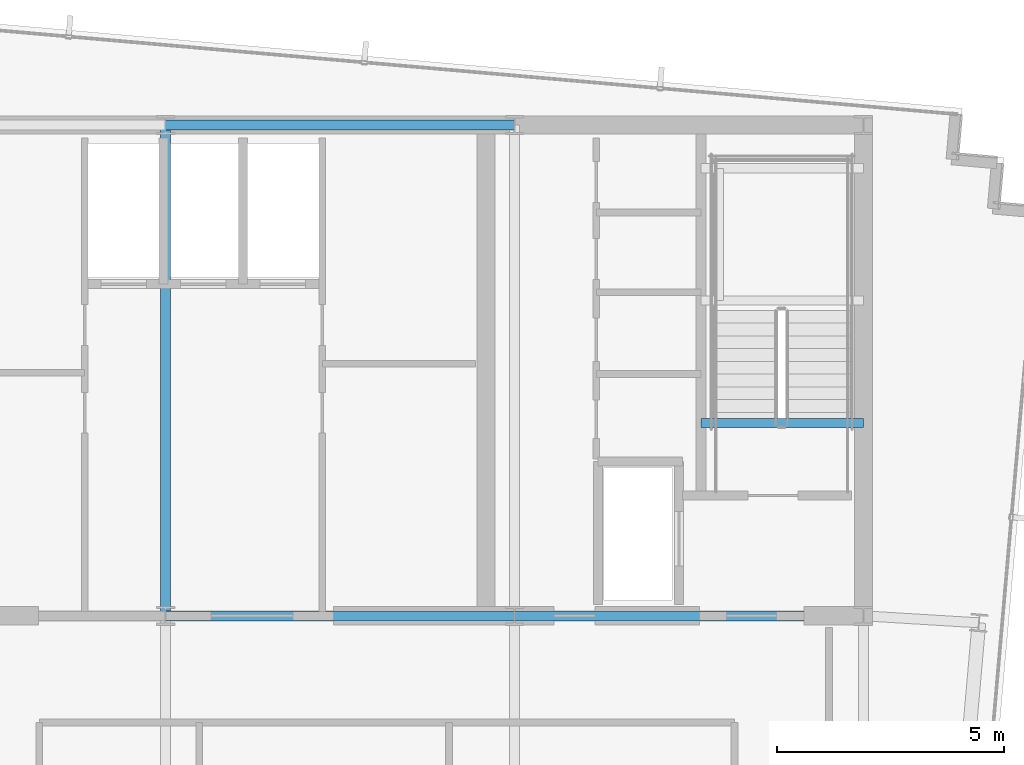
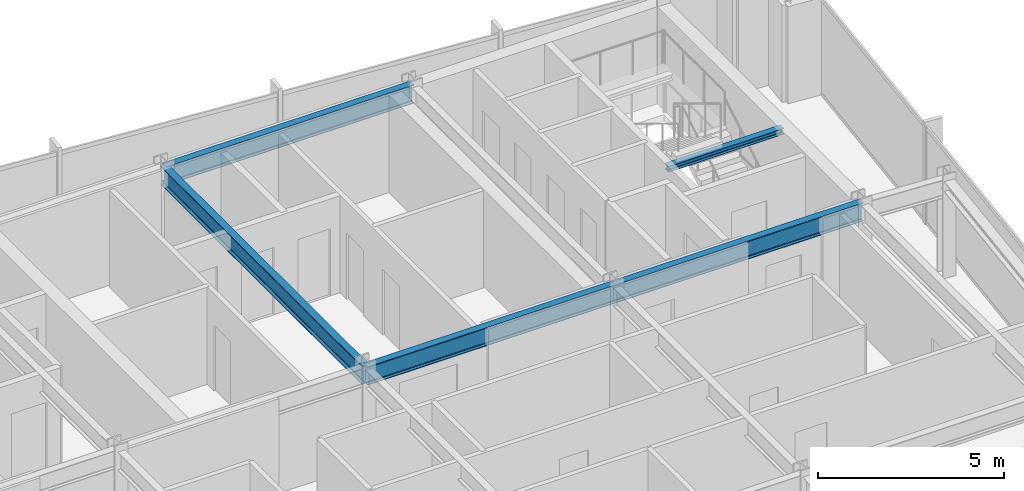
# One storey, part 18 of 32: 5 beams.
"""IFC4 building model written with IfcOpenShell, lengths in metres."""

from ifc_helpers import new_model, si_unit, direction, frame, origin, origin_2d, place, context, subcontext, project, spatial, i_section, extrude, material, material_profile, profile_set, type_object, element, save


model = new_model("IFC4")

# Units and contexts
model_context = context("Model", 3, precision=1e-05, world=origin(), true_north=direction((0.0, 1.0)))
body_context = subcontext(model_context, "Body", "Model", "MODEL_VIEW")
ifc_project = project(units=[si_unit("LENGTHUNIT", "METRE"), si_unit("AREAUNIT", "SQUARE_METRE"), si_unit("VOLUMEUNIT", "CUBIC_METRE"), si_unit("PLANEANGLEUNIT", "RADIAN"), si_unit("MASSUNIT", "GRAM", prefix="KILO")], contexts=[model_context])

# Site, building, storey
site_placement = place(None, origin())
site = spatial("IfcSite", under=ifc_project, at=site_placement, CompositionType="ELEMENT")
building_placement = place(site_placement, origin())
building = spatial("IfcBuilding", under=site, at=building_placement, Name="Yelkora Congress Tower", CompositionType="ELEMENT")
storey_placement = place(building_placement, frame((0.0, 0.0, 272.699951171875)))
storey = spatial("IfcBuildingStorey", under=building, at=storey_placement, Name="L76", CompositionType="ELEMENT", Elevation=272.699951171875)

# Beams
ifc_material = material(Name="Steel S355J2", Category="steel")
ifc_material_profile_1 = material_profile(ifc_material, i_section(OverallWidth=0.219970703125, OverallDepth=0.60009765625, WebThickness=0.011962890625, FlangeThickness=0.01904296875, FilletRadius=0.02392578125, at=origin_2d()), Name="IPE 600")
ifc_profile_set_1 = profile_set([ifc_material_profile_1], Name="Steel S355J2")
beam_type_1 = type_object("IfcBeamType", Name="BM-GIRD-IPE600", PredefinedType="BEAM", material=ifc_profile_set_1)
for number, where, z_axis, x_axis, name in (
    (1, (38.39990234375, 46.199951171875, 2.880126953125), (1.0, 0.0, 0.0), (0.0, 1.0, 0.0), "L76 Core North Girder 3"),
    (2, (38.39990234375, 35.39990234375, 2.880126953125), (1.0, 0.0, 0.0), (0.0, 1.0, 0.0), "L76 Core South Girder 3"),
):
    element("IfcBeam", number, at=place(storey_placement, frame(where, z_axis=z_axis, x_axis=x_axis)), inside=storey, type_object=beam_type_1, Name=name, PredefinedType="BEAM", context=body_context, shape_type="SweptSolid", body=[
        extrude(i_section(OverallWidth=0.219970703125, OverallDepth=0.60009765625, WebThickness=0.011962890625, FlangeThickness=0.01904296875, FilletRadius=0.02392578125, at=origin_2d()), origin(), (0.0, 0.0, 1.0), 7.68017578125),
    ])
beam_1_placement = place(storey_placement, frame((46.080078125, 35.39990234375, 2.880126953125), z_axis=(1.0, 0.0, 0.0), x_axis=(0.0, 1.0, 0.0)))
element("IfcBeam", 3, at=beam_1_placement, inside=storey, type_object=beam_type_1, Name="L76 Core South Girder 4", PredefinedType="BEAM", context=body_context, shape_type="SweptSolid", body=[
    extrude(i_section(OverallWidth=0.219970703125, OverallDepth=0.60009765625, WebThickness=0.011962890625, FlangeThickness=0.01904296875, FilletRadius=0.02392578125, at=origin_2d()), origin(), (0.0, 0.0, 1.0), 7.679931640625),
])
beam_2_placement = place(storey_placement, frame((38.39990234375, 35.39990234375, 2.880126953125), z_axis=(0.0, 1.0, 0.0), x_axis=(-1.0, 0.0, 0.0)))
element("IfcBeam", 4, at=beam_2_placement, inside=storey, type_object=beam_type_1, Name="L76 Core Tie Girder MC-S3", PredefinedType="BEAM", context=body_context, shape_type="SweptSolid", body=[
    extrude(i_section(OverallWidth=0.219970703125, OverallDepth=0.60009765625, WebThickness=0.011962890625, FlangeThickness=0.01904296875, FilletRadius=0.02392578125, at=origin_2d()), origin(), (0.0, 0.0, 1.0), 10.800048828125),
])
ifc_material_profile_2 = material_profile(ifc_material, i_section(OverallWidth=0.199951171875, OverallDepth=0.18994140625, WebThickness=0.006591796875, FlangeThickness=0.010009765625, FilletRadius=0.01806640625, at=origin_2d()), Name="HEA 200")
ifc_profile_set_2 = profile_set([ifc_material_profile_2], Name="Steel S355J2")
beam_type_2 = type_object("IfcBeamType", Name="BM-LAND-HEA200", PredefinedType="BEAM", material=ifc_profile_set_2)
beam_3_placement = place(storey_placement, frame((50.179931640625, 39.639892578125, 2.947509765625), z_axis=(1.0, 0.0, 0.0), x_axis=(0.0, 1.0, 0.0)))
element("IfcBeam", 5, at=beam_3_placement, inside=storey, type_object=beam_type_2, Name="ST-02 L76 Floor Arrival Stringer Header Beam", PredefinedType="BEAM", context=body_context, shape_type="SweptSolid", body=[
    extrude(i_section(OverallWidth=0.199951171875, OverallDepth=0.18994140625, WebThickness=0.006591796875, FlangeThickness=0.010009765625, FilletRadius=0.01806640625, at=origin_2d()), origin(), (0.0, 0.0, 1.0), 3.580078125),
])

save(model, "model.ifc")
